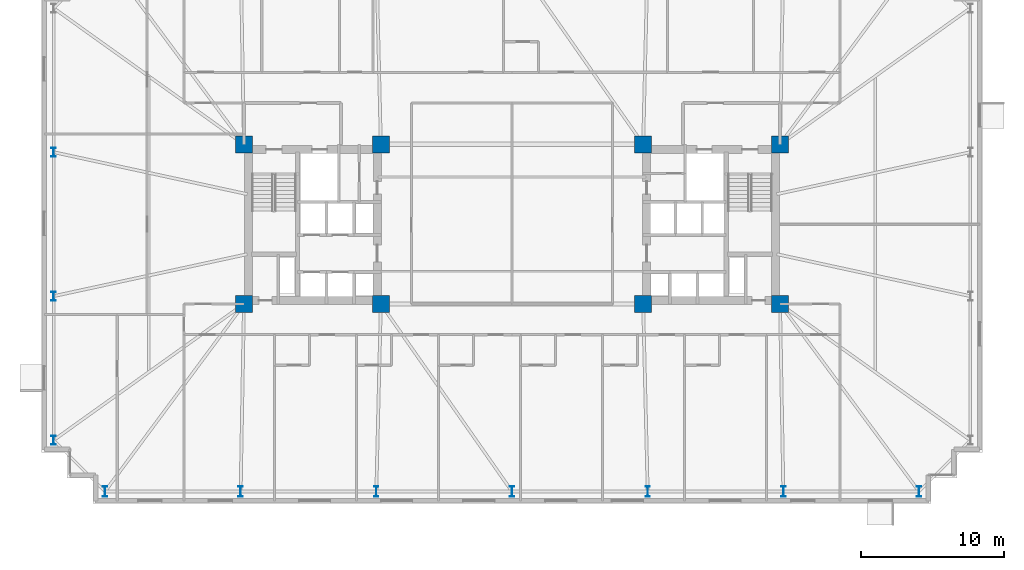
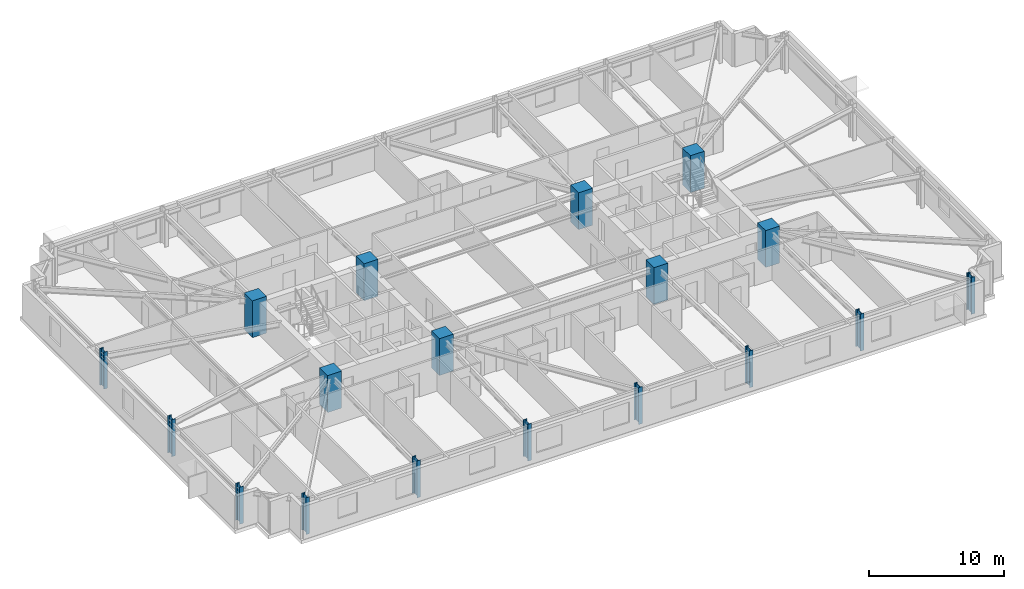
# One storey, part 1 of 20: 18 columns.
"""IFC4 building model written with IfcOpenShell, lengths in metres."""

from ifc_helpers import new_model, si_unit, direction, frame, origin, origin_2d, place, context, subcontext, project, spatial, rectangle, i_section, extrude, material, material_profile, profile_set, type_object, element, save


model = new_model("IFC4")

# Units and contexts
model_context = context("Model", 3, precision=1e-05, world=origin(), true_north=direction((0.0, 1.0)))
body_context = subcontext(model_context, "Body", "Model", "MODEL_VIEW")
ifc_project = project(units=[si_unit("LENGTHUNIT", "METRE"), si_unit("AREAUNIT", "SQUARE_METRE"), si_unit("VOLUMEUNIT", "CUBIC_METRE"), si_unit("PLANEANGLEUNIT", "RADIAN"), si_unit("MASSUNIT", "GRAM", prefix="KILO")], contexts=[model_context])

# Site, building, storey
site_placement = place(None, origin())
site = spatial("IfcSite", under=ifc_project, at=site_placement, CompositionType="ELEMENT")
building_placement = place(site_placement, origin())
building = spatial("IfcBuilding", under=site, at=building_placement, Name="Qobustan Lattice House", CompositionType="ELEMENT")
storey_placement = place(building_placement, frame((0.0, 0.0, 70.550048828125)))
storey = spatial("IfcBuildingStorey", under=building, at=storey_placement, Name="L19", CompositionType="ELEMENT", Elevation=70.550048828125)

# Columns
ifc_material_1 = material(Name="Concrete C60/75", Category="concrete")
ifc_material_profile_1 = material_profile(ifc_material_1, rectangle(XDim=1.199951171875, YDim=1.199951171875, at=origin_2d()), Name="RC1200x1200")
ifc_profile_set_1 = profile_set([ifc_material_profile_1], Name="Concrete C60/75")
column_type_1 = type_object("IfcColumnType", Name="COL-RC-1200", PredefinedType="COLUMN", material=ifc_profile_set_1)
for number, where, z_axis, x_axis, name in (
    (1, (-18.800048828125, -5.60009765625, 0.0), (0.0, 0.0, 1.0), (1.0, 0.0, 0.0), "L19 core mega-column CW-SW"),
    (2, (-18.800048828125, 5.60009765625, 0.0), (0.0, 0.0, 1.0), (1.0, 0.0, 0.0), "L19 core mega-column CW-NW"),
    (3, (-9.199951171875, -5.60009765625, 0.0), (0.0, 0.0, 1.0), (1.0, 0.0, 0.0), "L19 core mega-column CW-SE"),
    (4, (-9.199951171875, 5.60009765625, 0.0), (0.0, 0.0, 1.0), (1.0, 0.0, 0.0), "L19 core mega-column CW-NE"),
    (5, (9.199951171875, -5.60009765625, 0.0), (0.0, 0.0, 1.0), (1.0, 0.0, 0.0), "L19 core mega-column CE-SW"),
    (6, (9.199951171875, 5.60009765625, 0.0), (0.0, 0.0, 1.0), (1.0, 0.0, 0.0), "L19 core mega-column CE-NW"),
    (7, (18.800048828125, -5.60009765625, 0.0), (0.0, 0.0, 1.0), (1.0, 0.0, 0.0), "L19 core mega-column CE-SE"),
    (8, (18.800048828125, 5.60009765625, 0.0), (0.0, 0.0, 1.0), (1.0, 0.0, 0.0), "L19 core mega-column CE-NE"),
):
    element("IfcColumn", number, at=place(storey_placement, frame(where, z_axis=z_axis, x_axis=x_axis)), inside=storey, type_object=column_type_1, Name=name, PredefinedType="COLUMN", context=body_context, shape_type="SweptSolid", body=[
        extrude(rectangle(XDim=1.199951171875, YDim=1.199951171875, at=origin_2d()), origin(), (0.0, 0.0, 1.0), 3.349853515625),
    ])
ifc_material_2 = material(Name="Steel S460", Category="steel")
ifc_material_profile_2 = material_profile(ifc_material_2, i_section(OverallWidth=0.304931640625, OverallDepth=0.6201171875, WebThickness=0.02099609375, FlangeThickness=0.0400390625, FilletRadius=0.027099609375, at=origin_2d()), Name="HEM600")
ifc_profile_set_2 = profile_set([ifc_material_profile_2], Name="Steel S460")
column_type_2 = type_object("IfcColumnType", Name="COL-ST-HEM600", PredefinedType="COLUMN", material=ifc_profile_set_2)
for number, where, z_axis, x_axis, name in (
    (9, (-32.14990234375, 5.050048828125, 0.0), (0.0, 0.0, 1.0), (1.0, 0.0, 0.0), "L19 B1 perimeter column W2"),
    (10, (-32.14990234375, -5.050048828125, 0.0), (0.0, 0.0, 1.0), (1.0, 0.0, 0.0), "L19 B1 perimeter column W3"),
    (11, (-32.14990234375, -15.14990234375, 0.0), (0.0, 0.0, 1.0), (1.0, 0.0, 0.0), "L19 B1 perimeter column W4"),
):
    element("IfcColumn", number, at=place(storey_placement, frame(where, z_axis=z_axis, x_axis=x_axis)), inside=storey, type_object=column_type_2, Name=name, PredefinedType="COLUMN", context=body_context, shape_type="SweptSolid", body=[
        extrude(i_section(OverallWidth=0.304931640625, OverallDepth=0.6201171875, WebThickness=0.02099609375, FlangeThickness=0.0400390625, FilletRadius=0.027099609375, at=origin_2d()), origin(), (0.0, 0.0, 1.0), 3.349853515625),
    ])
ifc_material_3 = material(Name="Steel S460", Category="steel")
ifc_material_profile_3 = material_profile(ifc_material_3, i_section(OverallWidth=0.303955078125, OverallDepth=0.716064453125, WebThickness=0.02099609375, FlangeThickness=0.0400390625, FilletRadius=0.027099609375, at=origin_2d()), Name="HEM700")
ifc_profile_set_3 = profile_set([ifc_material_profile_3], Name="Steel S460")
column_type_3 = type_object("IfcColumnType", Name="COL-ST-HEM700", PredefinedType="COLUMN", material=ifc_profile_set_3)
for number, where, z_axis, x_axis, name in (
    (12, (-28.550048828125, -18.75, 0.0), (0.0, 0.0, 1.0), (1.0, 0.0, 0.0), "L19 B1 perimeter column S1"),
    (13, (-19.033203125, -18.75, 0.0), (0.0, 0.0, 1.0), (1.0, 0.0, 0.0), "L19 B1 perimeter column S2"),
    (14, (-9.5166015625, -18.75, 0.0), (0.0, 0.0, 1.0), (1.0, 0.0, 0.0), "L19 B1 perimeter column S3"),
    (15, (0.0, -18.75, 0.0), (0.0, 0.0, 1.0), (1.0, 0.0, 0.0), "L19 B1 perimeter column S4"),
    (16, (9.5166015625, -18.75, 0.0), (0.0, 0.0, 1.0), (1.0, 0.0, 0.0), "L19 B1 perimeter column S5"),
    (17, (19.033203125, -18.75, 0.0), (0.0, 0.0, 1.0), (1.0, 0.0, 0.0), "L19 B1 perimeter column S6"),
    (18, (28.550048828125, -18.75, 0.0), (0.0, 0.0, 1.0), (1.0, 0.0, 0.0), "L19 B1 perimeter column S7"),
):
    element("IfcColumn", number, at=place(storey_placement, frame(where, z_axis=z_axis, x_axis=x_axis)), inside=storey, type_object=column_type_3, Name=name, PredefinedType="COLUMN", context=body_context, shape_type="SweptSolid", body=[
        extrude(i_section(OverallWidth=0.303955078125, OverallDepth=0.716064453125, WebThickness=0.02099609375, FlangeThickness=0.0400390625, FilletRadius=0.027099609375, at=origin_2d()), origin(), (0.0, 0.0, 1.0), 3.349853515625),
    ])

save(model, "model.ifc")
